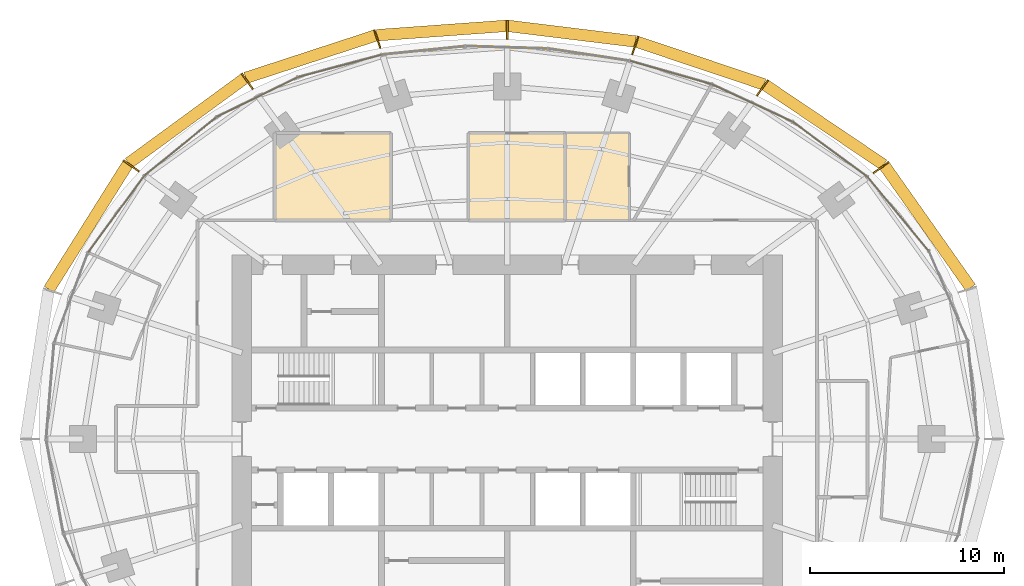
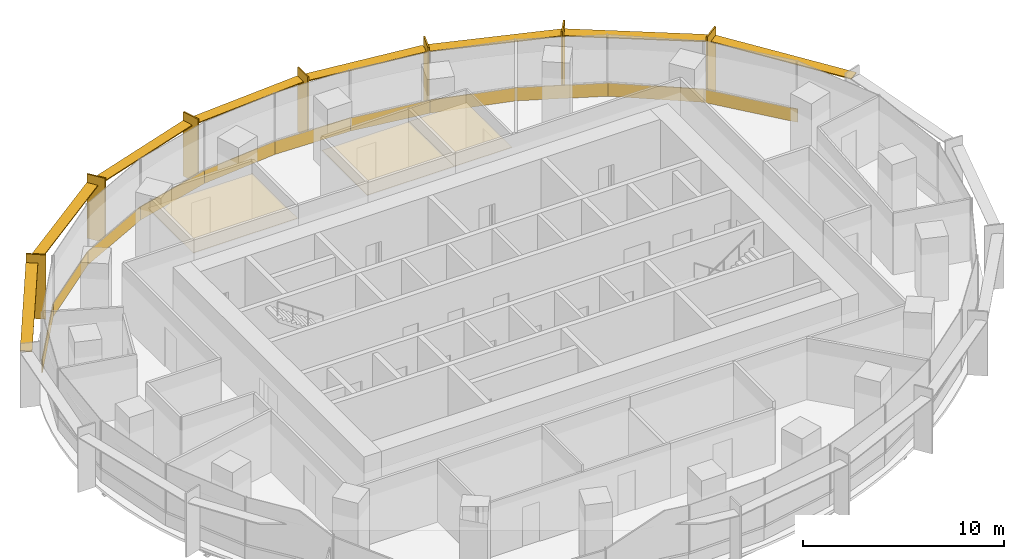
# One storey, part 14 of 14: 15 shading devices, 14 coverings.
"""IFC4 building model written with IfcOpenShell, lengths in metres."""

from ifc_helpers import new_model, si_unit, direction, frame, origin, origin_2d, place, context, subcontext, project, spatial, polyline, rectangle, outline, extrude, material, layer, layer_set, type_object, element, save


model = new_model("IFC4")

# Units and contexts
model_context = context("Model", 3, precision=1e-05, world=origin(), true_north=direction((0.0, 1.0)))
body_context = subcontext(model_context, "Body", "Model", "MODEL_VIEW")
ifc_project = project(units=[si_unit("LENGTHUNIT", "METRE"), si_unit("AREAUNIT", "SQUARE_METRE"), si_unit("VOLUMEUNIT", "CUBIC_METRE"), si_unit("PLANEANGLEUNIT", "RADIAN"), si_unit("MASSUNIT", "GRAM", prefix="KILO")], contexts=[model_context])

# Site, building, storey
site_placement = place(None, origin())
site = spatial("IfcSite", under=ifc_project, at=site_placement, CompositionType="ELEMENT")
building_placement = place(site_placement, origin())
building = spatial("IfcBuilding", under=site, at=building_placement, Name="Marramba Exchange Tower", CompositionType="ELEMENT")
storey_placement = place(building_placement, frame((0.0, 0.0, 203.300048828125)))
storey = spatial("IfcBuildingStorey", under=building, at=storey_placement, Name="L49", CompositionType="ELEMENT", Elevation=203.300048828125)

# Shading devices
ifc_material_1 = material(Name="Aluminium blade, timber-look bronze finish", Category="wood")
ifc_layer_1 = layer(ifc_material_1, 0.080078125)
ifc_layer_set_1 = layer_set([ifc_layer_1], Name="Floor-edge blade 1000x80")
shading_device_type_1 = type_object("IfcShadingDeviceType", Name="Floor-edge blade 1000x80", PredefinedType="USERDEFINED", material=ifc_layer_set_1)
for number, where, z_axis, x_axis, name in (
    (1, (19.298828125, 14.021484375, -0.159912109375), (0.0, 0.0, 1.0), (0.809016994375, 0.587785252292, 0.0), "Floor-edge blade FB1 L49 TC03"),
    (2, (13.176513671875, 18.135986328125, -0.159912109375), (0.0, 0.0, 1.0), (0.587785252292, 0.809016994375, 0.0), "Floor-edge blade FB1 L49 TC04"),
    (3, (6.605712890625, 20.330078125, -0.159912109375), (0.0, 0.0, 1.0), (0.309016994375, 0.951056516295, 0.0), "Floor-edge blade FB1 L49 TC05"),
    (4, (0.0, 21.13623046875, -0.159912109375), (0.0, 0.0, 1.0), (0.0, 1.0, 0.0), "Floor-edge blade FB1 L49 TC06"),
    (5, (-6.7119140625, 20.657470703125, -0.159912109375), (0.0, 0.0, 1.0), (-0.309016994375, 0.951056516295, 0.0), "Floor-edge blade FB1 L49 TC07"),
    (6, (-13.422607421875, 18.474609375, -0.159912109375), (0.0, 0.0, 1.0), (-0.587785252292, 0.809016994375, 0.0), "Floor-edge blade FB1 L49 TC08"),
    (7, (-19.4140625, 14.105224609375, -0.159912109375), (0.0, 0.0, 1.0), (-0.809016994375, 0.587785252292, 0.0), "Floor-edge blade FB1 L49 TC09"),
):
    element("IfcShadingDevice", number, at=place(storey_placement, frame(where, z_axis=z_axis, x_axis=x_axis)), inside=storey, type_object=shading_device_type_1, Name=name, ObjectType="FIN", PredefinedType="USERDEFINED", context=body_context, shape_type="SweptSolid", body=[
        extrude(rectangle(XDim=1.0, YDim=0.080078125, at=origin_2d()), origin(), (0.0, 0.0, 1.0), 3.89990234375),
    ])
ifc_material_2 = material(Name="Aluminium sunshade, bronze anodised", Category="aluminium")
ifc_layer_2 = layer(ifc_material_2, 0.06005859375)
ifc_layer_set_2 = layer_set([ifc_layer_2], Name="SUNSHADE blade 600x60")
shading_device_type_2 = type_object("IfcShadingDeviceType", Name="SUNSHADE blade 600x60", PredefinedType="USERDEFINED", material=ifc_layer_set_2)
shading_device_1_placement = place(storey_placement, frame((21.703857421875, 10.9599609375, 3.159912109375), z_axis=(0.0, 0.0, 1.0), x_axis=(-0.576555118613, 0.81705825692, 0.0)))
element("IfcShadingDevice", 8, at=shading_device_1_placement, inside=storey, type_object=shading_device_type_2, Name="Sunshade SS1 L49 bay 02", ObjectType="SUNSHADE", PredefinedType="USERDEFINED", context=body_context, shape_type="SweptSolid", body=[
    extrude(rectangle(XDim=7.70166015625, YDim=0.60009765625, at=origin_2d()), origin(), (0.0, 0.0, 1.0), 0.06005859375),
])
shading_device_2_placement = place(storey_placement, frame((16.37744140625, 16.218505859375, 3.159912109375), z_axis=(0.0, 0.0, 1.0), x_axis=(-0.829071447151, 0.559142679035, 0.0)))
element("IfcShadingDevice", 9, at=shading_device_2_placement, inside=storey, type_object=shading_device_type_2, Name="Sunshade SS1 L49 bay 03", ObjectType="SUNSHADE", PredefinedType="USERDEFINED", context=body_context, shape_type="SweptSolid", body=[
    extrude(rectangle(XDim=7.35791015625, YDim=0.60009765625, at=origin_2d()), origin(), (0.0, 0.0, 1.0), 0.06005859375),
])
shading_device_3_placement = place(storey_placement, frame((9.980712890625, 19.4091796875, 3.159912109375), z_axis=(0.0, 0.0, 1.0), x_axis=(-0.948096437223, 0.317982933073, 0.0)))
element("IfcShadingDevice", 10, at=shading_device_3_placement, inside=storey, type_object=shading_device_type_2, Name="Sunshade SS1 L49 bay 04", ObjectType="SUNSHADE", PredefinedType="USERDEFINED", context=body_context, shape_type="SweptSolid", body=[
    extrude(rectangle(XDim=6.909423828125, YDim=0.60009765625, at=origin_2d()), origin(), (0.0, 0.0, 1.0), 0.06005859375),
])
shading_device_4_placement = place(storey_placement, frame((3.333740234375, 20.92822265625, 3.159912109375), z_axis=(0.0, 0.0, 1.0), x_axis=(-0.992595256045, 0.121468751853, 0.0)))
element("IfcShadingDevice", 11, at=shading_device_4_placement, inside=storey, type_object=shading_device_type_2, Name="Sunshade SS1 L49 bay 05", ObjectType="SUNSHADE", PredefinedType="USERDEFINED", context=body_context, shape_type="SweptSolid", body=[
    extrude(rectangle(XDim=6.63720703125, YDim=0.60009765625, at=origin_2d()), origin(), (0.0, 0.0, 1.0), 0.06005859375),
])
shading_device_5_placement = place(storey_placement, frame((-3.386962890625, 21.092041015625, 3.159912109375), z_axis=(0.0, 0.0, 1.0), x_axis=(-0.997407641713, -0.071958295234, 0.0)))
element("IfcShadingDevice", 12, at=shading_device_5_placement, inside=storey, type_object=shading_device_type_2, Name="Sunshade SS1 L49 bay 06", ObjectType="SUNSHADE", PredefinedType="USERDEFINED", context=body_context, shape_type="SweptSolid", body=[
    extrude(rectangle(XDim=6.71142578125, YDim=0.60009765625, at=origin_2d()), origin(), (0.0, 0.0, 1.0), 0.06005859375),
])
shading_device_6_placement = place(storey_placement, frame((-10.156982421875, 19.741943359375, 3.159912109375), z_axis=(0.0, 0.0, 1.0), x_axis=(-0.950537602937, -0.310609506297, 0.0)))
element("IfcShadingDevice", 13, at=shading_device_6_placement, inside=storey, type_object=shading_device_type_2, Name="Sunshade SS1 L49 bay 07", ObjectType="SUNSHADE", PredefinedType="USERDEFINED", context=body_context, shape_type="SweptSolid", body=[
    extrude(rectangle(XDim=7.03857421875, YDim=0.60009765625, at=origin_2d()), origin(), (0.0, 0.0, 1.0), 0.06005859375),
])
shading_device_7_placement = place(storey_placement, frame((-16.55810546875, 16.4296875, 3.159912109375), z_axis=(0.0, 0.0, 1.0), x_axis=(-0.80719390073, -0.59028637679, 0.0)))
element("IfcShadingDevice", 14, at=shading_device_7_placement, inside=storey, type_object=shading_device_type_2, Name="Sunshade SS1 L49 bay 08", ObjectType="SUNSHADE", PredefinedType="USERDEFINED", context=body_context, shape_type="SweptSolid", body=[
    extrude(rectangle(XDim=7.3974609375, YDim=0.60009765625, at=origin_2d()), origin(), (0.0, 0.0, 1.0), 0.06005859375),
])
shading_device_8_placement = place(storey_placement, frame((-21.62744140625, 10.958251953125, 3.159912109375), z_axis=(0.0, 0.0, 1.0), x_axis=(-0.532082259983, -0.846692664792, 0.0)))
element("IfcShadingDevice", 15, at=shading_device_8_placement, inside=storey, type_object=shading_device_type_2, Name="Sunshade SS1 L49 bay 09", ObjectType="SUNSHADE", PredefinedType="USERDEFINED", context=body_context, shape_type="SweptSolid", body=[
    extrude(rectangle(XDim=7.631103515625, YDim=0.60009765625, at=origin_2d()), origin(), (0.0, 0.0, 1.0), 0.06005859375),
])

# Coverings
ifc_material_3 = material(Name="Aluminium spandrel panel, bronze anodised, insulated", Category="aluminium")
ifc_layer_3 = layer(ifc_material_3, 0.050048828125)
ifc_layer_set_3 = layer_set([ifc_layer_3], Name="Spandrel panel 800")
covering_type_1 = type_object("IfcCoveringType", Name="Spandrel panel 800", PredefinedType="CLADDING", material=ifc_layer_set_3)
covering_1_placement = place(storey_placement, frame((20.193603515625, 11.608642578125, 0.0), z_axis=(0.0, 0.0, 1.0), x_axis=(-0.637350224586, 0.770574260678, 0.0)))
element("IfcCovering", 16, at=covering_1_placement, inside=storey, type_object=covering_type_1, Name="Spandrel panel SP1 L49 F03", PredefinedType="CLADDING", context=body_context, shape_type="SweptSolid", body=[
    extrude(rectangle(XDim=4.9658203125, YDim=0.050048828125, at=origin_2d()), origin(), (0.0, 0.0, 1.0), 0.800048828125),
])
covering_2_placement = place(storey_placement, frame((16.677001953125, 14.94775390625, 0.0), z_axis=(0.0, 0.0, 1.0), x_axis=(-0.804877256733, 0.593441321104, 0.0)))
element("IfcCovering", 17, at=covering_2_placement, inside=storey, type_object=covering_type_1, Name="Spandrel panel SP1 L49 F04", PredefinedType="CLADDING", context=body_context, shape_type="SweptSolid", body=[
    extrude(rectangle(XDim=4.805908203125, YDim=0.050048828125, at=origin_2d()), origin(), (0.0, 0.0, 1.0), 0.800048828125),
])
covering_3_placement = place(storey_placement, frame((12.65869140625, 17.344482421875, 0.0), z_axis=(0.0, 0.0, 1.0), x_axis=(-0.906533903661, 0.422133014005, 0.0)))
element("IfcCovering", 18, at=covering_3_placement, inside=storey, type_object=covering_type_1, Name="Spandrel panel SP1 L49 F05", PredefinedType="CLADDING", context=body_context, shape_type="SweptSolid", body=[
    extrude(rectangle(XDim=4.5986328125, YDim=0.050048828125, at=origin_2d()), origin(), (0.0, 0.0, 1.0), 0.800048828125),
])
covering_4_placement = place(storey_placement, frame((8.45849609375, 18.91845703125, 0.0), z_axis=(0.0, 0.0, 1.0), x_axis=(-0.961658952783, 0.274248169607, 0.0)))
element("IfcCovering", 19, at=covering_4_placement, inside=storey, type_object=covering_type_1, Name="Spandrel panel SP1 L49 F06", PredefinedType="CLADDING", context=body_context, shape_type="SweptSolid", body=[
    extrude(rectangle(XDim=4.39990234375, YDim=0.050048828125, at=origin_2d()), origin(), (0.0, 0.0, 1.0), 0.800048828125),
])
covering_5_placement = place(storey_placement, frame((4.230712890625, 19.839599609375, 0.0), z_axis=(0.0, 0.0, 1.0), x_axis=(-0.988868065308, 0.148794991224, 0.0)))
element("IfcCovering", 20, at=covering_5_placement, inside=storey, type_object=covering_type_1, Name="Spandrel panel SP1 L49 F07", PredefinedType="CLADDING", context=body_context, shape_type="SweptSolid", body=[
    extrude(rectangle(XDim=4.27197265625, YDim=0.050048828125, at=origin_2d()), origin(), (0.0, 0.0, 1.0), 0.800048828125),
])
covering_6_placement = place(storey_placement, frame((-0.0068359375, 20.221923828125, 0.0), z_axis=(0.0, 0.0, 1.0), x_axis=(-0.999537999985, 0.030393857689, 0.0)))
element("IfcCovering", 21, at=covering_6_placement, inside=storey, type_object=covering_type_1, Name="Spandrel panel SP1 L49 F08", PredefinedType="CLADDING", context=body_context, shape_type="SweptSolid", body=[
    extrude(rectangle(XDim=4.252685546875, YDim=0.050048828125, at=origin_2d()), origin(), (0.0, 0.0, 1.0), 0.800048828125),
])
covering_7_placement = place(storey_placement, frame((-4.290771484375, 20.06787109375, 0.0), z_axis=(0.0, 0.0, 1.0), x_axis=(-0.994900357732, -0.10086266993, 0.0)))
element("IfcCovering", 22, at=covering_7_placement, inside=storey, type_object=covering_type_1, Name="Spandrel panel SP1 L49 F09", PredefinedType="CLADDING", context=body_context, shape_type="SweptSolid", body=[
    extrude(rectangle(XDim=4.33935546875, YDim=0.050048828125, at=origin_2d()), origin(), (0.0, 0.0, 1.0), 0.800048828125),
])
covering_8_placement = place(storey_placement, frame((-8.620361328125, 19.27001953125, 0.0), z_axis=(0.0, 0.0, 1.0), x_axis=(-0.966240651433, -0.257641230237, 0.0)))
element("IfcCovering", 23, at=covering_8_placement, inside=storey, type_object=covering_type_1, Name="Spandrel panel SP1 L49 F10", PredefinedType="CLADDING", context=body_context, shape_type="SweptSolid", body=[
    extrude(rectangle(XDim=4.49365234375, YDim=0.050048828125, at=origin_2d()), origin(), (0.0, 0.0, 1.0), 0.800048828125),
])
covering_9_placement = place(storey_placement, frame((-12.88818359375, 17.666748046875, 0.0), z_axis=(0.0, 0.0, 1.0), x_axis=(-0.898500520314, -0.438972453572, 0.0)))
element("IfcCovering", 24, at=covering_9_placement, inside=storey, type_object=covering_type_1, Name="Spandrel panel SP1 L49 F11", PredefinedType="CLADDING", context=body_context, shape_type="SweptSolid", body=[
    extrude(rectangle(XDim=4.667236328125, YDim=0.050048828125, at=origin_2d()), origin(), (0.0, 0.0, 1.0), 0.800048828125),
])
covering_10_placement = place(storey_placement, frame((-16.855712890625, 15.1240234375, 0.0), z_axis=(0.0, 0.0, 1.0), x_axis=(-0.776432169123, -0.630200830491, 0.0)))
element("IfcCovering", 25, at=covering_10_placement, inside=storey, type_object=covering_type_1, Name="Spandrel panel SP1 L49 F12", PredefinedType="CLADDING", context=body_context, shape_type="SweptSolid", body=[
    extrude(rectangle(XDim=4.81884765625, YDim=0.050048828125, at=origin_2d()), origin(), (0.0, 0.0, 1.0), 0.800048828125),
])
covering_11_placement = place(storey_placement, frame((-20.184326171875, 11.62060546875, 0.0), z_axis=(0.0, 0.0, 1.0), x_axis=(-0.591962919465, -0.805965198987, 0.0)))
element("IfcCovering", 26, at=covering_11_placement, inside=storey, type_object=covering_type_1, Name="Spandrel panel SP1 L49 F13", PredefinedType="CLADDING", context=body_context, shape_type="SweptSolid", body=[
    extrude(rectangle(XDim=4.925537109375, YDim=0.050048828125, at=origin_2d()), origin(), (0.0, 0.0, 1.0), 0.800048828125),
])
ifc_material_4 = material(Name="Mineral fibre ceiling tiles", Category="gypsum")
ifc_layer_4 = layer(ifc_material_4, 0.02001953125)
ifc_layer_set_4 = layer_set([ifc_layer_4], Name="Suspended ceiling 20")
covering_type_2 = type_object("IfcCoveringType", Name="Suspended ceiling 20", PredefinedType="CEILING", material=ifc_layer_set_4)
covering_12_placement = place(storey_placement, frame((0.0, 0.0, 2.89990234375)))
element("IfcCovering", 27, at=covering_12_placement, inside=storey, type_object=covering_type_2, Name="Ceiling CL1 L49 Meeting Room 2", PredefinedType="CEILING", context=body_context, shape_type="SweptSolid", body=[
    extrude(outline(polyline([(3.0, 11.300048828125), (-2.0, 11.300048828125), (-2.0, 15.800048828125), (3.0, 15.800048828125), (3.0, 11.300048828125)])), origin(), (0.0, 0.0, 1.0), 0.02001953125),
])
covering_13_placement = place(storey_placement, frame((0.0, 0.0, 2.89990234375)))
element("IfcCovering", 28, at=covering_13_placement, inside=storey, type_object=covering_type_2, Name="Ceiling CL1 L49 Pantry 1", PredefinedType="CEILING", context=body_context, shape_type="SweptSolid", body=[
    extrude(outline(polyline([(6.300048828125, 11.300048828125), (3.0, 11.300048828125), (3.0, 15.800048828125), (6.300048828125, 15.800048828125), (6.300048828125, 11.300048828125)])), origin(), (0.0, 0.0, 1.0), 0.02001953125),
])
covering_14_placement = place(storey_placement, frame((0.0, 0.0, 2.89990234375)))
element("IfcCovering", 29, at=covering_14_placement, inside=storey, type_object=covering_type_2, Name="Ceiling CL1 L49 Meeting Room 3", PredefinedType="CEILING", context=body_context, shape_type="SweptSolid", body=[
    extrude(outline(polyline([(-6.0, 11.300048828125), (-12.0, 11.300048828125), (-12.0, 15.800048828125), (-6.0, 15.800048828125), (-6.0, 11.300048828125)])), origin(), (0.0, 0.0, 1.0), 0.02001953125),
])

save(model, "model.ifc")
